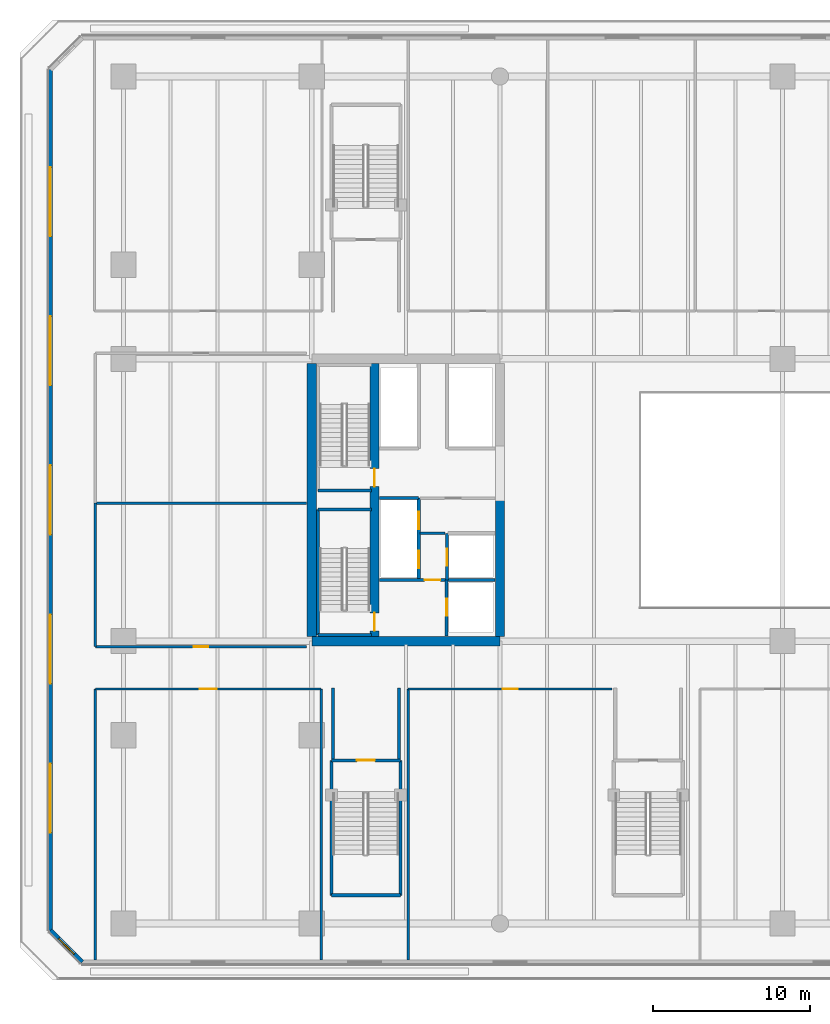
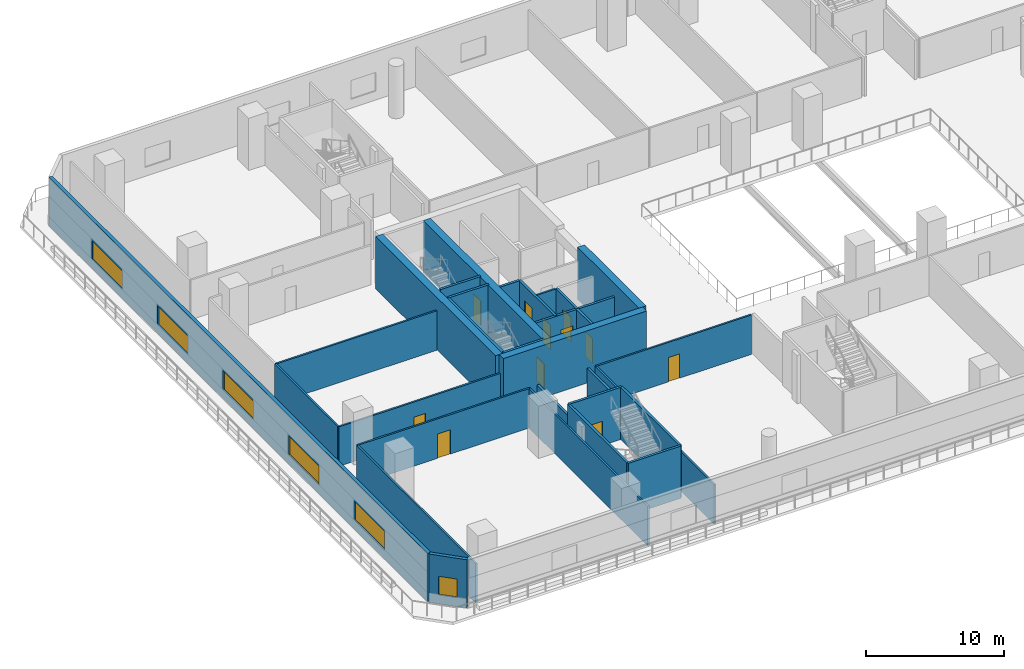
# One storey, part 3 of 27: 30 walls, 11 doors, 6 windows, 17 openings.
"""IFC4 building model written with IfcOpenShell, lengths in metres."""

from ifc_helpers import new_model, si_unit, direction, frame, frame_2d, origin, place, context, subcontext, project, spatial, rectangle, extrude, material, layer, layer_set, type_object, element, fill, save


model = new_model("IFC4")

# Units and contexts
model_context = context("Model", 3, precision=1e-05, world=origin(), true_north=direction((0.0, 1.0)))
body_context = subcontext(model_context, "Body", "Model", "MODEL_VIEW")
ifc_project = project(units=[si_unit("LENGTHUNIT", "METRE"), si_unit("AREAUNIT", "SQUARE_METRE"), si_unit("VOLUMEUNIT", "CUBIC_METRE"), si_unit("PLANEANGLEUNIT", "RADIAN"), si_unit("MASSUNIT", "GRAM", prefix="KILO")], contexts=[model_context])

# Site, building, storey
site_placement = place(None, origin())
site = spatial("IfcSite", under=ifc_project, at=site_placement, CompositionType="ELEMENT")
building_placement = place(site_placement, origin())
building = spatial("IfcBuilding", under=site, at=building_placement, Name="Tanjung Sevakor Pilgrim Tower", CompositionType="ELEMENT")
storey_placement = place(building_placement, frame((0.0, 0.0, 19.469970703125)))
storey = spatial("IfcBuildingStorey", under=building, at=storey_placement, Name="L05", CompositionType="ELEMENT", Elevation=19.469970703125)

# Walls
ifc_material_1 = material(Name="Concrete C60/75", Category="concrete")
ifc_layer_1 = layer(ifc_material_1, 0.60009765625)
ifc_layer_set_1 = layer_set([ifc_layer_1], Name="WALL-CW-600")
wall_type_1 = type_object("IfcWallType", Name="WALL-CW-600", PredefinedType="SHEAR", material=ifc_layer_set_1)
wall_1_placement = place(storey_placement, frame((24.0, 24.60009765625, 0.0), z_axis=(0.0, 0.0, 1.0), x_axis=(1.0, 0.0, 0.0)))
element("IfcWall", 1, at=wall_1_placement, inside=storey, type_object=wall_type_1, Name="L05 W Core South Shear Wall", PredefinedType="SHEAR", context=body_context, shape_type="SweptSolid", body=[
    extrude(rectangle(XDim=12.0, YDim=0.60009765625, at=frame_2d((6.0, 0.0))), origin(), (0.0, 0.0, 1.0), 4.6201171875),
])
wall_2_placement = place(storey_placement, frame((24.0, 24.89990234375, 0.0), z_axis=(0.0, 0.0, 1.0), x_axis=(0.0, 1.0, 0.0)))
element("IfcWall", 2, at=wall_2_placement, inside=storey, type_object=wall_type_1, Name="L05 W Core Outer Shear Wall", PredefinedType="SHEAR", context=body_context, shape_type="SweptSolid", body=[
    extrude(rectangle(XDim=17.400146484375, YDim=0.60009765625, at=frame_2d((8.7001953125, 0.0))), origin(), (0.0, 0.0, 1.0), 4.6201171875),
])
wall_3_placement = place(storey_placement, frame((36.0, 24.89990234375, 0.0), z_axis=(0.0, 0.0, 1.0), x_axis=(0.0, 1.0, 0.0)))
element("IfcWall", 3, at=wall_3_placement, inside=storey, type_object=wall_type_1, Name="L05 W Core Inner Shear Wall South", PredefinedType="SHEAR", context=body_context, shape_type="SweptSolid", body=[
    extrude(rectangle(XDim=8.900146484375, YDim=0.60009765625, at=frame_2d((4.4501953125, 0.0))), origin(), (0.0, 0.0, 1.0), 4.6201171875),
])

# Wall, openings, doors
wall_4_placement = place(storey_placement, frame((28.0, 24.89990234375, 0.0), z_axis=(0.0, 0.0, 1.0), x_axis=(0.0, 1.0, 0.0)))
wall_4 = element("IfcWall", 4, at=wall_4_placement, inside=storey, type_object=wall_type_1, Name="L05 W Core Stair Spine Wall", PredefinedType="SHEAR", context=body_context, shape_type="SweptSolid", body=[
    extrude(rectangle(XDim=17.400146484375, YDim=0.60009765625, at=frame_2d((8.7001953125, 0.0))), origin(), (0.0, 0.0, 1.0), 4.6201171875),
])
opening_1_placement = place(wall_4_placement, frame((0.35009765625, 0.0, 0.0)))
opening_1 = element("IfcOpeningElement", 5, at=opening_1_placement, cuts=wall_4, Name="Opening ID-ST1", PredefinedType="OPENING", context=body_context, shape_type="SweptSolid", body=[
    extrude(rectangle(XDim=1.14990234375, YDim=2.14990234375, at=frame_2d((0.574951171875, 1.074951171875))), frame((0.0, 0.31005859375, 0.0), z_axis=(0.0, -1.0, 0.0), x_axis=(1.0, 0.0, 0.0)), (0.0, 0.0, 1.0), 0.6201171875),
])
opening_2_placement = place(wall_4_placement, frame((9.550048828125, 0.0, 0.0)))
opening_2 = element("IfcOpeningElement", 6, at=opening_2_placement, cuts=wall_4, Name="Opening ID-ST1", PredefinedType="OPENING", context=body_context, shape_type="SweptSolid", body=[
    extrude(rectangle(XDim=1.14990234375, YDim=2.14990234375, at=frame_2d((0.574951171875, 1.074951171875))), frame((0.0, 0.31005859375, 0.0), z_axis=(0.0, -1.0, 0.0), x_axis=(1.0, 0.0, 0.0)), (0.0, 0.0, 1.0), 0.6201171875),
])
ifc_material_2 = material(Name="Fire-Rated Steel S355J2", Category="steel")
door_type_1 = type_object("IfcDoorType", Name="DT-FIRE-1150", OperationType="NOTDEFINED", PredefinedType="DOOR", material=ifc_material_2)
door_1_placement = place(opening_1_placement, origin())
door_1 = element("IfcDoor", 7, at=door_1_placement, inside=storey, type_object=door_type_1, Name="L05 TS-W1 Stair Fire Door", OperationType="SINGLE_SWING_RIGHT", OverallHeight=2.14990234375, OverallWidth=1.14990234375, PredefinedType="DOOR", context=body_context, shape_type="SweptSolid", body=[
    extrude(rectangle(XDim=1.14990234375, YDim=2.14990234375, at=frame_2d((0.574951171875, 1.074951171875))), frame((0.0, 0.02490234375, 0.0), z_axis=(0.0, -1.0, 0.0), x_axis=(1.0, 0.0, 0.0)), (0.0, 0.0, 1.0), 0.050048828125),
])
fill(opening_1, door_1)
door_2_placement = place(opening_2_placement, origin())
door_2 = element("IfcDoor", 8, at=door_2_placement, inside=storey, type_object=door_type_1, Name="L05 TS-W2 Stair Fire Door", OperationType="SINGLE_SWING_LEFT", OverallHeight=2.14990234375, OverallWidth=1.14990234375, PredefinedType="DOOR", context=body_context, shape_type="SweptSolid", body=[
    extrude(rectangle(XDim=1.14990234375, YDim=2.14990234375, at=frame_2d((0.574951171875, 1.074951171875))), frame((0.0, 0.02490234375, 0.0), z_axis=(0.0, -1.0, 0.0), x_axis=(1.0, 0.0, 0.0)), (0.0, 0.0, 1.0), 0.050048828125),
])
fill(opening_2, door_2)

# Wall
ifc_material_3 = material(Name="Concrete C40/50", Category="concrete")
ifc_layer_2 = layer(ifc_material_3, 0.14990234375)
ifc_layer_set_2 = layer_set([ifc_layer_2], Name="WT-COMP-150")
wall_type_2 = type_object("IfcWallType", Name="WT-COMP-150", PredefinedType="SOLIDWALL", material=ifc_layer_set_2)
wall_5_placement = place(storey_placement, frame((30.89990234375, 31.47998046875, 0.0), z_axis=(0.0, 0.0, 1.0), x_axis=(1.0, 0.0, 0.0)))
element("IfcWall", 9, at=wall_5_placement, inside=storey, type_object=wall_type_2, Name="L05 Partition IW-L05-007", PredefinedType="SOLIDWALL", context=body_context, shape_type="SweptSolid", body=[
    extrude(rectangle(XDim=1.60009765625, YDim=0.14990234375, at=frame_2d((0.800048828125, 0.0))), origin(), (0.0, 0.0, 1.0), 3.489990234375),
])

# Wall, opening, door
wall_6_placement = place(storey_placement, frame((30.14990234375, 21.550048828125, 0.0), z_axis=(0.0, 0.0, 1.0), x_axis=(1.0, 0.0, 0.0)))
wall_6 = element("IfcWall", 10, at=wall_6_placement, inside=storey, type_object=wall_type_2, Name="L05 Partition IW-L05-037", PredefinedType="SOLIDWALL", context=body_context, shape_type="SweptSolid", body=[
    extrude(rectangle(XDim=13.0, YDim=0.14990234375, at=frame_2d((6.5, 0.0))), origin(), (0.0, 0.0, 1.0), 3.489990234375),
])
opening_3_placement = place(wall_6_placement, frame((6.02490234375, 0.0, 0.0)))
opening_3 = element("IfcOpeningElement", 11, at=opening_3_placement, cuts=wall_6, Name="Opening ID-RM1", PredefinedType="OPENING", context=body_context, shape_type="SweptSolid", body=[
    extrude(rectangle(XDim=0.949951171875, YDim=2.14990234375, at=frame_2d((0.47509765625, 1.074951171875))), frame((0.0, 0.0849609375, 0.0), z_axis=(0.0, -1.0, 0.0), x_axis=(1.0, 0.0, 0.0)), (0.0, 0.0, 1.0), 0.169921875),
])
ifc_material_4 = material(Name="Hardwood Timber", Category="wood")
door_type_2 = type_object("IfcDoorType", Name="DT-INT-950", OperationType="NOTDEFINED", PredefinedType="DOOR", material=ifc_material_4)
door_3_placement = place(opening_3_placement, origin())
door_3 = element("IfcDoor", 12, at=door_3_placement, inside=storey, type_object=door_type_2, Name="L05 Clinic Suite Door 1", OperationType="SINGLE_SWING_RIGHT", OverallHeight=2.14990234375, OverallWidth=0.949951171875, PredefinedType="DOOR", context=body_context, shape_type="SweptSolid", body=[
    extrude(rectangle(XDim=0.949951171875, YDim=2.14990234375, at=frame_2d((0.47509765625, 1.074951171875))), frame((0.0, 0.02490234375, 0.0), z_axis=(0.0, -1.0, 0.0), x_axis=(1.0, 0.0, 0.0)), (0.0, 0.0, 1.0), 0.050048828125),
])
fill(opening_3, door_3)

# Wall
wall_7_placement = place(storey_placement, frame((30.14990234375, 4.280029296875, 0.0), z_axis=(0.0, 0.0, 1.0), x_axis=(0.0, 1.0, 0.0)))
element("IfcWall", 13, at=wall_7_placement, inside=storey, type_object=wall_type_2, Name="L05 Partition IW-L05-038", PredefinedType="SOLIDWALL", context=body_context, shape_type="SweptSolid", body=[
    extrude(rectangle(XDim=17.27001953125, YDim=0.14990234375, at=frame_2d((8.635009765625, 0.0))), origin(), (0.0, 0.0, 1.0), 3.489990234375),
])

# Wall, opening, door
wall_8_placement = place(storey_placement, frame((10.199951171875, 24.25, 0.0), z_axis=(0.0, 0.0, 1.0), x_axis=(1.0, 0.0, 0.0)))
wall_8 = element("IfcWall", 14, at=wall_8_placement, inside=storey, type_object=wall_type_2, Name="L05 Partition IW-L05-063", PredefinedType="SOLIDWALL", context=body_context, shape_type="SweptSolid", body=[
    extrude(rectangle(XDim=13.47998046875, YDim=0.14990234375, at=frame_2d((6.739990234375, 0.0))), origin(), (0.0, 0.0, 1.0), 3.489990234375),
])
opening_4_placement = place(wall_8_placement, frame((6.264892578125, 0.0, 0.0)))
opening_4 = element("IfcOpeningElement", 15, at=opening_4_placement, cuts=wall_8, Name="Opening ID-RM1", PredefinedType="OPENING", context=body_context, shape_type="SweptSolid", body=[
    extrude(rectangle(XDim=0.949951171875, YDim=2.14990234375, at=frame_2d((0.47509765625, 1.074951171875))), frame((0.0, 0.0849609375, 0.0), z_axis=(0.0, -1.0, 0.0), x_axis=(1.0, 0.0, 0.0)), (0.0, 0.0, 1.0), 0.169921875),
])
door_4_placement = place(opening_4_placement, origin())
door_4 = element("IfcDoor", 16, at=door_4_placement, inside=storey, type_object=door_type_2, Name="L05 West Desk 1 Door", OperationType="SINGLE_SWING_LEFT", OverallHeight=2.14990234375, OverallWidth=0.949951171875, PredefinedType="DOOR", context=body_context, shape_type="SweptSolid", body=[
    extrude(rectangle(XDim=0.949951171875, YDim=2.14990234375, at=frame_2d((0.47509765625, 1.074951171875))), frame((0.0, 0.02490234375, 0.0), z_axis=(0.0, -1.0, 0.0), x_axis=(1.0, 0.0, 0.0)), (0.0, 0.0, 1.0), 0.050048828125),
])
fill(opening_4, door_4)

# Walls
wall_9_placement = place(storey_placement, frame((10.199951171875, 33.39990234375, 0.0), z_axis=(0.0, 0.0, 1.0), x_axis=(1.0, 0.0, 0.0)))
element("IfcWall", 17, at=wall_9_placement, inside=storey, type_object=wall_type_2, Name="L05 Partition IW-L05-064", PredefinedType="SOLIDWALL", context=body_context, shape_type="SweptSolid", body=[
    extrude(rectangle(XDim=13.47998046875, YDim=0.14990234375, at=frame_2d((6.739990234375, 0.0))), origin(), (0.0, 0.0, 1.0), 3.489990234375),
])
wall_10_placement = place(storey_placement, frame((10.199951171875, 24.25, 0.0), z_axis=(0.0, 0.0, 1.0), x_axis=(0.0, 1.0, 0.0)))
element("IfcWall", 18, at=wall_10_placement, inside=storey, type_object=wall_type_2, Name="L05 Partition IW-L05-065", PredefinedType="SOLIDWALL", context=body_context, shape_type="SweptSolid", body=[
    extrude(rectangle(XDim=9.14990234375, YDim=0.14990234375, at=frame_2d((4.574951171875, 0.0))), origin(), (0.0, 0.0, 1.0), 3.489990234375),
])

# Wall, opening, door
wall_11_placement = place(storey_placement, frame((10.199951171875, 21.550048828125, 0.0), z_axis=(0.0, 0.0, 1.0), x_axis=(1.0, 0.0, 0.0)))
wall_11 = element("IfcWall", 19, at=wall_11_placement, inside=storey, type_object=wall_type_2, Name="L05 Partition IW-L05-071", PredefinedType="SOLIDWALL", context=body_context, shape_type="SweptSolid", body=[
    extrude(rectangle(XDim=14.400146484375, YDim=0.14990234375, at=frame_2d((7.2001953125, 0.0))), origin(), (0.0, 0.0, 1.0), 3.489990234375),
])
opening_5_placement = place(wall_11_placement, frame((6.64990234375, 0.0, 0.0)))
opening_5 = element("IfcOpeningElement", 20, at=opening_5_placement, cuts=wall_11, Name="Opening ID-RM2", PredefinedType="OPENING", context=body_context, shape_type="SweptSolid", body=[
    extrude(rectangle(XDim=1.10009765625, YDim=2.14990234375, at=frame_2d((0.550048828125, 1.074951171875))), frame((0.0, 0.0849609375, 0.0), z_axis=(0.0, -1.0, 0.0), x_axis=(1.0, 0.0, 0.0)), (0.0, 0.0, 1.0), 0.169921875),
])
ifc_material_5 = material(Name="Hardwood Timber", Category="wood")
door_type_3 = type_object("IfcDoorType", Name="DT-INT-1100", OperationType="NOTDEFINED", PredefinedType="DOOR", material=ifc_material_5)
door_5_placement = place(opening_5_placement, origin())
door_5 = element("IfcDoor", 21, at=door_5_placement, inside=storey, type_object=door_type_3, Name="L05 SW Clinic Door", OperationType="SINGLE_SWING_RIGHT", OverallHeight=2.14990234375, OverallWidth=1.10009765625, PredefinedType="DOOR", context=body_context, shape_type="SweptSolid", body=[
    extrude(rectangle(XDim=1.10009765625, YDim=2.14990234375, at=frame_2d((0.550048828125, 1.074951171875))), frame((0.0, 0.02490234375, 0.0), z_axis=(0.0, -1.0, 0.0), x_axis=(1.0, 0.0, 0.0)), (0.0, 0.0, 1.0), 0.050048828125),
])
fill(opening_5, door_5)

# Walls
for number, where, z_axis, x_axis, name in (
    (22, (10.199951171875, 4.280029296875, 0.0), (0.0, 0.0, 1.0), (0.0, 1.0, 0.0), "L05 Partition IW-L05-072"),
    (23, (24.60009765625, 4.280029296875, 0.0), (0.0, 0.0, 1.0), (0.0, 1.0, 0.0), "L05 Partition IW-L05-073"),
):
    element("IfcWall", number, at=place(storey_placement, frame(where, z_axis=z_axis, x_axis=x_axis)), inside=storey, type_object=wall_type_2, Name=name, PredefinedType="SOLIDWALL", context=body_context, shape_type="SweptSolid", body=[
        extrude(rectangle(XDim=17.27001953125, YDim=0.14990234375, at=frame_2d((8.635009765625, 0.0))), origin(), (0.0, 0.0, 1.0), 3.489990234375),
    ])

# Wall, openings, windows
ifc_material_6 = material(Name="Precast concrete C45/55", Category="concrete")
ifc_layer_3 = layer(ifc_material_6, 0.280029296875)
ifc_layer_set_3 = layer_set([ifc_layer_3], Name="WT-EW-STN2")
wall_type_3 = type_object("IfcWallType", Name="WT-EW-STN2", PredefinedType="SOLIDWALL", material=ifc_layer_set_3)
wall_12_placement = place(storey_placement, frame((7.340087890625, 61.0419921875, 0.0), z_axis=(0.0, 0.0, 1.0), x_axis=(0.0, -1.0, 0.0)))
wall_12 = element("IfcWall", 24, at=wall_12_placement, inside=storey, type_object=wall_type_3, Name="L05 MAIN Exterior Wall 7", PredefinedType="SOLIDWALL", context=body_context, shape_type="SweptSolid", body=[
    extrude(rectangle(XDim=54.884033203125, YDim=0.280029296875, at=frame_2d((27.44189453125, 0.0))), origin(), (0.0, 0.0, 1.0), 4.27001953125),
])
opening_6_placement = place(wall_12_placement, frame((25.241943359375, 0.0, 0.780029296875)))
opening_6 = element("IfcOpeningElement", 25, at=opening_6_placement, cuts=wall_12, Name="Opening WN-ENDW-1660", PredefinedType="OPENING", context=body_context, shape_type="SweptSolid", body=[
    extrude(rectangle(XDim=4.39990234375, YDim=1.659912109375, at=frame_2d((2.199951171875, 0.830078125))), frame((0.0, 0.14990234375, 0.0), z_axis=(0.0, -1.0, 0.0), x_axis=(1.0, 0.0, 0.0)), (0.0, 0.0, 1.0), 0.300048828125),
])
opening_7_placement = place(wall_12_placement, frame((6.241943359375, 0.0, 0.780029296875)))
opening_7 = element("IfcOpeningElement", 26, at=opening_7_placement, cuts=wall_12, Name="Opening WN-ENDW-1660", PredefinedType="OPENING", context=body_context, shape_type="SweptSolid", body=[
    extrude(rectangle(XDim=4.39990234375, YDim=1.659912109375, at=frame_2d((2.199951171875, 0.830078125))), frame((0.0, 0.14990234375, 0.0), z_axis=(0.0, -1.0, 0.0), x_axis=(1.0, 0.0, 0.0)), (0.0, 0.0, 1.0), 0.300048828125),
])
opening_8_placement = place(wall_12_placement, frame((15.741943359375, 0.0, 0.780029296875)))
opening_8 = element("IfcOpeningElement", 27, at=opening_8_placement, cuts=wall_12, Name="Opening WN-ENDW-1660", PredefinedType="OPENING", context=body_context, shape_type="SweptSolid", body=[
    extrude(rectangle(XDim=4.39990234375, YDim=1.659912109375, at=frame_2d((2.199951171875, 0.830078125))), frame((0.0, 0.14990234375, 0.0), z_axis=(0.0, -1.0, 0.0), x_axis=(1.0, 0.0, 0.0)), (0.0, 0.0, 1.0), 0.300048828125),
])
opening_9_placement = place(wall_12_placement, frame((34.741943359375, 0.0, 0.780029296875)))
opening_9 = element("IfcOpeningElement", 28, at=opening_9_placement, cuts=wall_12, Name="Opening WN-ENDW-1660", PredefinedType="OPENING", context=body_context, shape_type="SweptSolid", body=[
    extrude(rectangle(XDim=4.39990234375, YDim=1.659912109375, at=frame_2d((2.199951171875, 0.830078125))), frame((0.0, 0.14990234375, 0.0), z_axis=(0.0, -1.0, 0.0), x_axis=(1.0, 0.0, 0.0)), (0.0, 0.0, 1.0), 0.300048828125),
])
opening_10_placement = place(wall_12_placement, frame((44.241943359375, 0.0, 0.780029296875)))
opening_10 = element("IfcOpeningElement", 29, at=opening_10_placement, cuts=wall_12, Name="Opening WN-ENDW-1660", PredefinedType="OPENING", context=body_context, shape_type="SweptSolid", body=[
    extrude(rectangle(XDim=4.39990234375, YDim=1.659912109375, at=frame_2d((2.199951171875, 0.830078125))), frame((0.0, 0.14990234375, 0.0), z_axis=(0.0, -1.0, 0.0), x_axis=(1.0, 0.0, 0.0)), (0.0, 0.0, 1.0), 0.300048828125),
])
ifc_material_7 = material(Name="Thermally Broken Aluminium and Low-E Glass", Category="aluminium")
window_type_1 = type_object("IfcWindowType", Name="WTYP-WN-ENDW-1660", PartitioningType="DOUBLE_PANEL_VERTICAL", PredefinedType="WINDOW", material=ifc_material_7)
window_1_placement = place(opening_6_placement, origin())
window_1 = element("IfcWindow", 30, at=window_1_placement, inside=storey, type_object=window_type_1, Name="L05 Facade Window 01", OverallHeight=1.659912109375, OverallWidth=4.39990234375, PartitioningType="SINGLE_PANEL", PredefinedType="WINDOW", context=body_context, shape_type="SweptSolid", body=[
    extrude(rectangle(XDim=4.39990234375, YDim=1.659912109375, at=frame_2d((2.199951171875, 0.830078125))), frame((0.0, 0.030029296875, 0.0), z_axis=(0.0, -1.0, 0.0), x_axis=(1.0, 0.0, 0.0)), (0.0, 0.0, 1.0), 0.06005859375),
])
fill(opening_6, window_1)
window_2_placement = place(opening_7_placement, origin())
window_2 = element("IfcWindow", 31, at=window_2_placement, inside=storey, type_object=window_type_1, Name="L05 Facade Window 02", OverallHeight=1.659912109375, OverallWidth=4.39990234375, PartitioningType="SINGLE_PANEL", PredefinedType="WINDOW", context=body_context, shape_type="SweptSolid", body=[
    extrude(rectangle(XDim=4.39990234375, YDim=1.659912109375, at=frame_2d((2.199951171875, 0.830078125))), frame((0.0, 0.030029296875, 0.0), z_axis=(0.0, -1.0, 0.0), x_axis=(1.0, 0.0, 0.0)), (0.0, 0.0, 1.0), 0.06005859375),
])
fill(opening_7, window_2)
window_3_placement = place(opening_8_placement, origin())
window_3 = element("IfcWindow", 32, at=window_3_placement, inside=storey, type_object=window_type_1, Name="L05 Facade Window 03", OverallHeight=1.659912109375, OverallWidth=4.39990234375, PartitioningType="SINGLE_PANEL", PredefinedType="WINDOW", context=body_context, shape_type="SweptSolid", body=[
    extrude(rectangle(XDim=4.39990234375, YDim=1.659912109375, at=frame_2d((2.199951171875, 0.830078125))), frame((0.0, 0.030029296875, 0.0), z_axis=(0.0, -1.0, 0.0), x_axis=(1.0, 0.0, 0.0)), (0.0, 0.0, 1.0), 0.06005859375),
])
fill(opening_8, window_3)
window_4_placement = place(opening_9_placement, origin())
window_4 = element("IfcWindow", 33, at=window_4_placement, inside=storey, type_object=window_type_1, Name="L05 Facade Window 04", OverallHeight=1.659912109375, OverallWidth=4.39990234375, PartitioningType="SINGLE_PANEL", PredefinedType="WINDOW", context=body_context, shape_type="SweptSolid", body=[
    extrude(rectangle(XDim=4.39990234375, YDim=1.659912109375, at=frame_2d((2.199951171875, 0.830078125))), frame((0.0, 0.030029296875, 0.0), z_axis=(0.0, -1.0, 0.0), x_axis=(1.0, 0.0, 0.0)), (0.0, 0.0, 1.0), 0.06005859375),
])
fill(opening_9, window_4)
window_5_placement = place(opening_10_placement, origin())
window_5 = element("IfcWindow", 34, at=window_5_placement, inside=storey, type_object=window_type_1, Name="L05 Facade Window 05", OverallHeight=1.659912109375, OverallWidth=4.39990234375, PartitioningType="SINGLE_PANEL", PredefinedType="WINDOW", context=body_context, shape_type="SweptSolid", body=[
    extrude(rectangle(XDim=4.39990234375, YDim=1.659912109375, at=frame_2d((2.199951171875, 0.830078125))), frame((0.0, 0.030029296875, 0.0), z_axis=(0.0, -1.0, 0.0), x_axis=(1.0, 0.0, 0.0)), (0.0, 0.0, 1.0), 0.06005859375),
])
fill(opening_10, window_5)

# Wall, opening, window
wall_13_placement = place(storey_placement, frame((7.340087890625, 6.157958984375, 0.0), z_axis=(0.0, 0.0, 1.0), x_axis=(0.707064005301, -0.707149554485, 0.0)))
wall_13 = element("IfcWall", 35, at=wall_13_placement, inside=storey, type_object=wall_type_3, Name="L05 MAIN Exterior Wall 8", PredefinedType="SOLIDWALL", context=body_context, shape_type="SweptSolid", body=[
    extrude(rectangle(XDim=2.853759765625, YDim=0.280029296875, at=frame_2d((1.4267578125, 0.0))), origin(), (0.0, 0.0, 1.0), 4.27001953125),
])
opening_11_placement = place(wall_13_placement, frame((0.726806640625, 0.0, 0.780029296875)))
opening_11 = element("IfcOpeningElement", 36, at=opening_11_placement, cuts=wall_13, Name="Opening WN-END", PredefinedType="OPENING", context=body_context, shape_type="SweptSolid", body=[
    extrude(rectangle(XDim=1.39990234375, YDim=1.64990234375, at=frame_2d((0.699951171875, 0.824951171875))), frame((0.0, 0.14990234375, 0.0), z_axis=(0.0, -1.0, 0.0), x_axis=(1.0, 0.0, 0.0)), (0.0, 0.0, 1.0), 0.300048828125),
])
ifc_material_8 = material(Name="Thermally Broken Aluminium and Low-E Glass", Category="aluminium")
window_type_2 = type_object("IfcWindowType", Name="WTYP-WN-END", PartitioningType="SINGLE_PANEL", PredefinedType="WINDOW", material=ifc_material_8)
window_6_placement = place(opening_11_placement, origin())
window_6 = element("IfcWindow", 37, at=window_6_placement, inside=storey, type_object=window_type_2, Name="L05 Facade Window 01", OverallHeight=1.64990234375, OverallWidth=1.39990234375, PartitioningType="SINGLE_PANEL", PredefinedType="WINDOW", context=body_context, shape_type="SweptSolid", body=[
    extrude(rectangle(XDim=1.39990234375, YDim=1.64990234375, at=frame_2d((0.699951171875, 0.824951171875))), frame((0.0, 0.030029296875, 0.0), z_axis=(0.0, -1.0, 0.0), x_axis=(1.0, 0.0, 0.0)), (0.0, 0.0, 1.0), 0.06005859375),
])
fill(opening_11, window_6)

# Walls
ifc_material_9 = material(Name="Concrete C40/50", Category="concrete")
ifc_layer_4 = layer(ifc_material_9, 0.199951171875)
ifc_layer_set_4 = layer_set([ifc_layer_4], Name="WT-FIRE-200")
wall_type_4 = type_object("IfcWallType", Name="WT-FIRE-200", PredefinedType="SOLIDWALL", material=ifc_layer_set_4)
for number, where, z_axis, x_axis, name in (
    (38, (24.39990234375, 25.0, 0.0), (0.0, 0.0, 1.0), (1.0, 0.0, 0.0), "L05 TS-W1 Shaft Wall 1"),
    (39, (27.800048828125, 33.0, 0.0), (0.0, 0.0, 1.0), (-1.0, 0.0, 0.0), "L05 TS-W1 Shaft Wall 2"),
):
    element("IfcWall", number, at=place(storey_placement, frame(where, z_axis=z_axis, x_axis=x_axis)), inside=storey, type_object=wall_type_4, Name=name, PredefinedType="SOLIDWALL", context=body_context, shape_type="SweptSolid", body=[
        extrude(rectangle(XDim=3.400146484375, YDim=0.199951171875, at=frame_2d((1.7001953125, 0.0))), origin(), (0.0, 0.0, 1.0), 4.6201171875),
    ])
wall_14_placement = place(storey_placement, frame((24.39990234375, 33.0, 0.0), z_axis=(0.0, 0.0, 1.0), x_axis=(0.0, -1.0, 0.0)))
element("IfcWall", 40, at=wall_14_placement, inside=storey, type_object=wall_type_4, Name="L05 TS-W1 Shaft Wall 3", PredefinedType="SOLIDWALL", context=body_context, shape_type="SweptSolid", body=[
    extrude(rectangle(XDim=8.0, YDim=0.199951171875, at=frame_2d((4.0, 0.0))), origin(), (0.0, 0.0, 1.0), 4.6201171875),
])
wall_15_placement = place(storey_placement, frame((24.39990234375, 34.199951171875, 0.0), z_axis=(0.0, 0.0, 1.0), x_axis=(1.0, 0.0, 0.0)))
element("IfcWall", 41, at=wall_15_placement, inside=storey, type_object=wall_type_4, Name="L05 TS-W2 Shaft Wall 1", PredefinedType="SOLIDWALL", context=body_context, shape_type="SweptSolid", body=[
    extrude(rectangle(XDim=3.400146484375, YDim=0.199951171875, at=frame_2d((1.7001953125, 0.0))), origin(), (0.0, 0.0, 1.0), 4.6201171875),
])
wall_16_placement = place(storey_placement, frame((25.25, 8.39990234375, 0.0), z_axis=(0.0, 0.0, 1.0), x_axis=(1.0, 0.0, 0.0)))
element("IfcWall", 42, at=wall_16_placement, inside=storey, type_object=wall_type_4, Name="L05 PS-1 Shaft Wall 1", PredefinedType="SOLIDWALL", context=body_context, shape_type="SweptSolid", body=[
    extrude(rectangle(XDim=4.39990234375, YDim=0.199951171875, at=frame_2d((2.199951171875, 0.0))), origin(), (0.0, 0.0, 1.0), 4.6201171875),
])
wall_17_placement = place(storey_placement, frame((29.64990234375, 8.39990234375, 0.0), z_axis=(0.0, 0.0, 1.0), x_axis=(0.0, 1.0, 0.0)))
element("IfcWall", 43, at=wall_17_placement, inside=storey, type_object=wall_type_4, Name="L05 PS-1 Shaft Wall 2", PredefinedType="SOLIDWALL", context=body_context, shape_type="SweptSolid", body=[
    extrude(rectangle(XDim=8.60009765625, YDim=0.199951171875, at=frame_2d((4.300048828125, 0.0))), origin(), (0.0, 0.0, 1.0), 4.6201171875),
])

# Wall, opening, door
wall_18_placement = place(storey_placement, frame((29.64990234375, 17.0, 0.0), z_axis=(0.0, 0.0, 1.0), x_axis=(-1.0, 0.0, 0.0)))
wall_18 = element("IfcWall", 44, at=wall_18_placement, inside=storey, type_object=wall_type_4, Name="L05 PS-1 Shaft Wall 3", PredefinedType="SOLIDWALL", context=body_context, shape_type="SweptSolid", body=[
    extrude(rectangle(XDim=4.39990234375, YDim=0.199951171875, at=frame_2d((2.199951171875, 0.0))), origin(), (0.0, 0.0, 1.0), 4.6201171875),
])
opening_12_placement = place(wall_18_placement, frame((1.625, 0.0, 0.0)))
opening_12 = element("IfcOpeningElement", 45, at=opening_12_placement, cuts=wall_18, Name="Opening ID-ST1", PredefinedType="OPENING", context=body_context, shape_type="SweptSolid", body=[
    extrude(rectangle(XDim=1.14990234375, YDim=2.14990234375, at=frame_2d((0.574951171875, 1.074951171875))), frame((0.0, 0.10986328125, 0.0), z_axis=(0.0, -1.0, 0.0), x_axis=(1.0, 0.0, 0.0)), (0.0, 0.0, 1.0), 0.219970703125),
])
door_6_placement = place(opening_12_placement, origin())
door_6 = element("IfcDoor", 46, at=door_6_placement, inside=storey, type_object=door_type_1, Name="L05 PS-1 Stair Entry Fire Door", OperationType="SINGLE_SWING_RIGHT", OverallHeight=2.14990234375, OverallWidth=1.14990234375, PredefinedType="DOOR", context=body_context, shape_type="SweptSolid", body=[
    extrude(rectangle(XDim=1.14990234375, YDim=2.14990234375, at=frame_2d((0.574951171875, 1.074951171875))), frame((0.0, 0.02490234375, 0.0), z_axis=(0.0, -1.0, 0.0), x_axis=(1.0, 0.0, 0.0)), (0.0, 0.0, 1.0), 0.050048828125),
])
fill(opening_12, door_6)

# Wall
wall_19_placement = place(storey_placement, frame((25.25, 17.0, 0.0), z_axis=(0.0, 0.0, 1.0), x_axis=(0.0, -1.0, 0.0)))
element("IfcWall", 47, at=wall_19_placement, inside=storey, type_object=wall_type_4, Name="L05 PS-1 Shaft Wall 4", PredefinedType="SOLIDWALL", context=body_context, shape_type="SweptSolid", body=[
    extrude(rectangle(XDim=8.60009765625, YDim=0.199951171875, at=frame_2d((4.300048828125, 0.0))), origin(), (0.0, 0.0, 1.0), 4.6201171875),
])

# Wall, opening, door
ifc_material_10 = material(Name="Concrete C40/50", Category="concrete")
ifc_layer_5 = layer(ifc_material_10, 0.199951171875)
ifc_layer_set_5 = layer_set([ifc_layer_5], Name="WT-FPRT-200")
wall_type_5 = type_object("IfcWallType", Name="WT-FPRT-200", PredefinedType="SOLIDWALL", material=ifc_layer_set_5)
wall_20_placement = place(storey_placement, frame((32.60009765625, 24.919921875, 0.0), z_axis=(0.0, 0.0, 1.0), x_axis=(0.0, 1.0, 0.0)))
wall_20 = element("IfcWall", 48, at=wall_20_placement, inside=storey, type_object=wall_type_5, Name="L05 Partition IW-L05-001", PredefinedType="SOLIDWALL", context=body_context, shape_type="SweptSolid", body=[
    extrude(rectangle(XDim=3.580078125, YDim=0.199951171875, at=frame_2d((1.7900390625, 0.0))), origin(), (0.0, 0.0, 1.0), 3.489990234375),
])
opening_13_placement = place(wall_20_placement, frame((1.300048828125, 0.0, 0.0)))
opening_13 = element("IfcOpeningElement", 49, at=opening_13_placement, cuts=wall_20, Name="Opening LD-1100", PredefinedType="OPENING", context=body_context, shape_type="SweptSolid", body=[
    extrude(rectangle(XDim=1.10009765625, YDim=2.199951171875, at=frame_2d((0.550048828125, 1.10009765625))), frame((0.0, 0.10986328125, 0.0), z_axis=(0.0, -1.0, 0.0), x_axis=(1.0, 0.0, 0.0)), (0.0, 0.0, 1.0), 0.219970703125),
])
ifc_material_11 = material(Name="Brushed Stainless Steel S355J2", Category="steel")
door_type_4 = type_object("IfcDoorType", Name="DT-LIFT-1100", OperationType="SLIDING_TO_LEFT", PredefinedType="DOOR", material=ifc_material_11)
door_7_placement = place(opening_13_placement, origin())
door_7 = element("IfcDoor", 50, at=door_7_placement, inside=storey, type_object=door_type_4, Name="LD-FL-W", OperationType="SLIDING_TO_LEFT", OverallHeight=2.199951171875, OverallWidth=1.10009765625, PredefinedType="DOOR", context=body_context, shape_type="SweptSolid", body=[
    extrude(rectangle(XDim=1.10009765625, YDim=2.199951171875, at=frame_2d((0.550048828125, 1.10009765625))), frame((0.0, 0.02490234375, 0.0), z_axis=(0.0, -1.0, 0.0), x_axis=(1.0, 0.0, 0.0)), (0.0, 0.0, 1.0), 0.050048828125),
])
fill(opening_13, door_7)

wall_21_placement = place(storey_placement, frame((28.320068359375, 28.5, 0.0), z_axis=(0.0, 0.0, 1.0), x_axis=(1.0, 0.0, 0.0)))
wall_21 = element("IfcWall", 51, at=wall_21_placement, inside=storey, type_object=wall_type_5, Name="L05 Partition IW-L05-002", PredefinedType="SOLIDWALL", context=body_context, shape_type="SweptSolid", body=[
    extrude(rectangle(XDim=7.35986328125, YDim=0.199951171875, at=frame_2d((3.679931640625, 0.0))), origin(), (0.0, 0.0, 1.0), 3.489990234375),
])
opening_14_placement = place(wall_21_placement, frame((2.8798828125, 0.0, 0.0)))
opening_14 = element("IfcOpeningElement", 52, at=opening_14_placement, cuts=wall_21, Name="Opening ID-FD1", PredefinedType="OPENING", context=body_context, shape_type="SweptSolid", body=[
    extrude(rectangle(XDim=1.0, YDim=2.14990234375, at=frame_2d((0.5, 1.074951171875))), frame((0.0, 0.10986328125, 0.0), z_axis=(0.0, -1.0, 0.0), x_axis=(1.0, 0.0, 0.0)), (0.0, 0.0, 1.0), 0.219970703125),
])
ifc_material_12 = material(Name="Fire-Rated Steel S355J2", Category="steel")
door_type_5 = type_object("IfcDoorType", Name="DT-FIRE-1000", OperationType="NOTDEFINED", PredefinedType="DOOR", material=ifc_material_12)
door_8_placement = place(opening_14_placement, origin())
door_8 = element("IfcDoor", 53, at=door_8_placement, inside=storey, type_object=door_type_5, Name="Fire Lobby Door W", OperationType="SINGLE_SWING_LEFT", OverallHeight=2.14990234375, OverallWidth=1.0, PredefinedType="DOOR", context=body_context, shape_type="SweptSolid", body=[
    extrude(rectangle(XDim=1.0, YDim=2.14990234375, at=frame_2d((0.5, 1.074951171875))), frame((0.0, 0.02490234375, 0.0), z_axis=(0.0, -1.0, 0.0), x_axis=(1.0, 0.0, 0.0)), (0.0, 0.0, 1.0), 0.050048828125),
])
fill(opening_14, door_8)

# Wall
wall_22_placement = place(storey_placement, frame((28.320068359375, 33.719970703125, 0.0), z_axis=(0.0, 0.0, 1.0), x_axis=(1.0, 0.0, 0.0)))
element("IfcWall", 54, at=wall_22_placement, inside=storey, type_object=wall_type_5, Name="L05 Partition IW-L05-003", PredefinedType="SOLIDWALL", context=body_context, shape_type="SweptSolid", body=[
    extrude(rectangle(XDim=2.47998046875, YDim=0.199951171875, at=frame_2d((1.239990234375, 0.0))), origin(), (0.0, 0.0, 1.0), 3.489990234375),
])

# Wall, openings, doors
wall_23_placement = place(storey_placement, frame((30.820068359375, 28.5, 0.0), z_axis=(0.0, 0.0, 1.0), x_axis=(0.0, 1.0, 0.0)))
wall_23 = element("IfcWall", 55, at=wall_23_placement, inside=storey, type_object=wall_type_5, Name="L05 Partition IW-L05-004", PredefinedType="SOLIDWALL", context=body_context, shape_type="SweptSolid", body=[
    extrude(rectangle(XDim=5.219970703125, YDim=0.199951171875, at=frame_2d((2.60986328125, 0.0))), origin(), (0.0, 0.0, 1.0), 3.489990234375),
])
opening_15_placement = place(wall_23_placement, frame((0.75, 0.0, 0.0)))
opening_15 = element("IfcOpeningElement", 56, at=opening_15_placement, cuts=wall_23, Name="Opening LD-1100", PredefinedType="OPENING", context=body_context, shape_type="SweptSolid", body=[
    extrude(rectangle(XDim=1.10009765625, YDim=2.199951171875, at=frame_2d((0.550048828125, 1.10009765625))), frame((0.0, 0.10986328125, 0.0), z_axis=(0.0, -1.0, 0.0), x_axis=(1.0, 0.0, 0.0)), (0.0, 0.0, 1.0), 0.219970703125),
])
opening_16_placement = place(wall_23_placement, frame((3.25, 0.0, 0.0)))
opening_16 = element("IfcOpeningElement", 57, at=opening_16_placement, cuts=wall_23, Name="Opening LD-1100", PredefinedType="OPENING", context=body_context, shape_type="SweptSolid", body=[
    extrude(rectangle(XDim=1.10009765625, YDim=2.199951171875, at=frame_2d((0.550048828125, 1.10009765625))), frame((0.0, 0.10986328125, 0.0), z_axis=(0.0, -1.0, 0.0), x_axis=(1.0, 0.0, 0.0)), (0.0, 0.0, 1.0), 0.219970703125),
])
door_9_placement = place(opening_15_placement, origin())
door_9 = element("IfcDoor", 58, at=door_9_placement, inside=storey, type_object=door_type_4, Name="LD-PLL1-W", OperationType="SLIDING_TO_LEFT", OverallHeight=2.199951171875, OverallWidth=1.10009765625, PredefinedType="DOOR", context=body_context, shape_type="SweptSolid", body=[
    extrude(rectangle(XDim=1.10009765625, YDim=2.199951171875, at=frame_2d((0.550048828125, 1.10009765625))), frame((0.0, 0.02490234375, 0.0), z_axis=(0.0, -1.0, 0.0), x_axis=(1.0, 0.0, 0.0)), (0.0, 0.0, 1.0), 0.050048828125),
])
fill(opening_15, door_9)
door_10_placement = place(opening_16_placement, origin())
door_10 = element("IfcDoor", 59, at=door_10_placement, inside=storey, type_object=door_type_4, Name="LD-PLL2-W", OperationType="SLIDING_TO_RIGHT", OverallHeight=2.199951171875, OverallWidth=1.10009765625, PredefinedType="DOOR", context=body_context, shape_type="SweptSolid", body=[
    extrude(rectangle(XDim=1.10009765625, YDim=2.199951171875, at=frame_2d((0.550048828125, 1.10009765625))), frame((0.0, 0.02490234375, 0.0), z_axis=(0.0, -1.0, 0.0), x_axis=(1.0, 0.0, 0.0)), (0.0, 0.0, 1.0), 0.050048828125),
])
fill(opening_16, door_10)

# Wall, opening, door
wall_24_placement = place(storey_placement, frame((32.6201171875, 28.5, 0.0), z_axis=(0.0, 0.0, 1.0), x_axis=(0.0, 1.0, 0.0)))
wall_24 = element("IfcWall", 60, at=wall_24_placement, inside=storey, type_object=wall_type_5, Name="L05 Partition IW-L05-006", PredefinedType="SOLIDWALL", context=body_context, shape_type="SweptSolid", body=[
    extrude(rectangle(XDim=2.97998046875, YDim=0.199951171875, at=frame_2d((1.489990234375, 0.0))), origin(), (0.0, 0.0, 1.0), 3.489990234375),
])
opening_17_placement = place(wall_24_placement, frame((0.89990234375, 0.0, 0.0)))
opening_17 = element("IfcOpeningElement", 61, at=opening_17_placement, cuts=wall_24, Name="Opening LD-1100", PredefinedType="OPENING", context=body_context, shape_type="SweptSolid", body=[
    extrude(rectangle(XDim=1.10009765625, YDim=2.199951171875, at=frame_2d((0.550048828125, 1.10009765625))), frame((0.0, 0.10986328125, 0.0), z_axis=(0.0, -1.0, 0.0), x_axis=(1.0, 0.0, 0.0)), (0.0, 0.0, 1.0), 0.219970703125),
])
door_11_placement = place(opening_17_placement, origin())
door_11 = element("IfcDoor", 62, at=door_11_placement, inside=storey, type_object=door_type_4, Name="LD-SLP-W", OperationType="SLIDING_TO_LEFT", OverallHeight=2.199951171875, OverallWidth=1.10009765625, PredefinedType="DOOR", context=body_context, shape_type="SweptSolid", body=[
    extrude(rectangle(XDim=1.10009765625, YDim=2.199951171875, at=frame_2d((0.550048828125, 1.10009765625))), frame((0.0, 0.02490234375, 0.0), z_axis=(0.0, -1.0, 0.0), x_axis=(1.0, 0.0, 0.0)), (0.0, 0.0, 1.0), 0.050048828125),
])
fill(opening_17, door_11)

# Walls
for number, where, z_axis, x_axis, name in (
    (63, (25.35009765625, 17.0, 0.0), (0.0, 0.0, 1.0), (0.0, 1.0, 0.0), "L05 Partition IW-L05-025"),
    (64, (29.550048828125, 17.0, 0.0), (0.0, 0.0, 1.0), (0.0, 1.0, 0.0), "L05 Partition IW-L05-026"),
):
    element("IfcWall", number, at=place(storey_placement, frame(where, z_axis=z_axis, x_axis=x_axis)), inside=storey, type_object=wall_type_5, Name=name, PredefinedType="SOLIDWALL", context=body_context, shape_type="SweptSolid", body=[
        extrude(rectangle(XDim=4.60009765625, YDim=0.199951171875, at=frame_2d((2.300048828125, 0.0))), origin(), (0.0, 0.0, 1.0), 3.489990234375),
    ])

save(model, "model.ifc")
